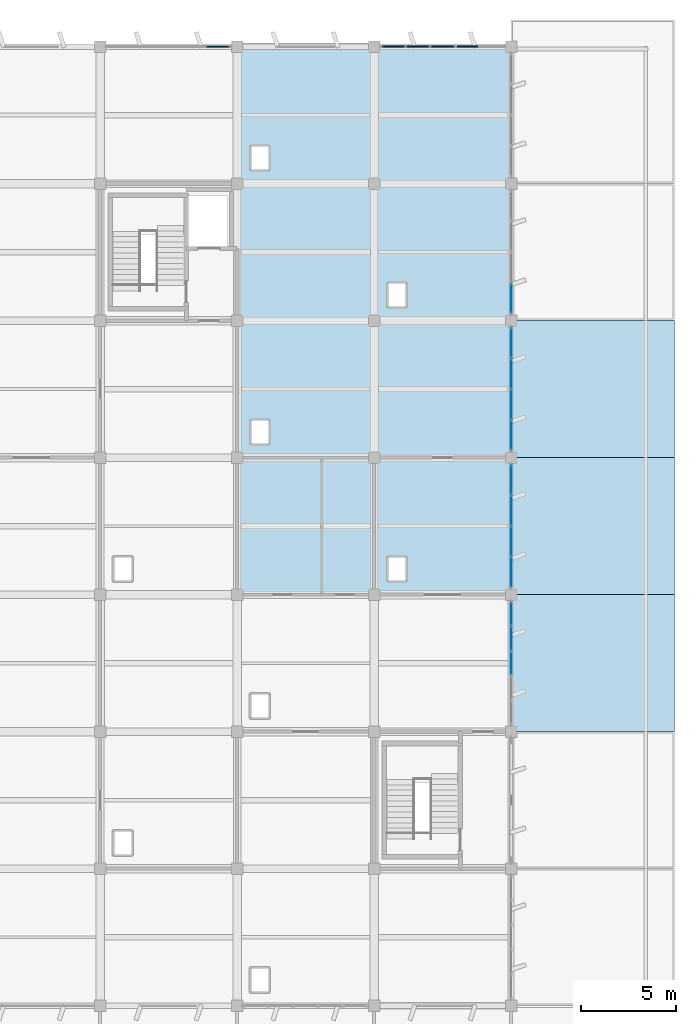
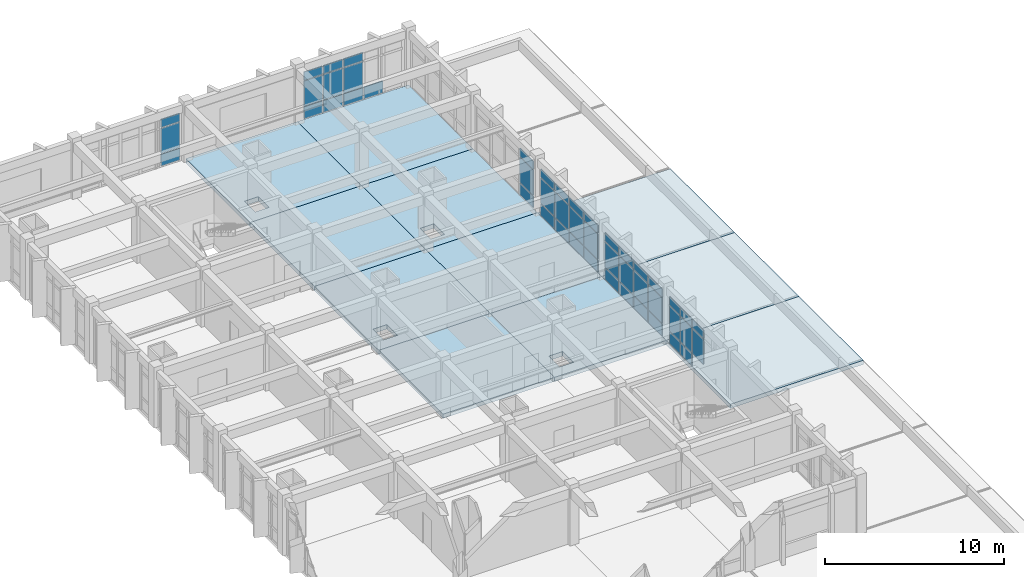
# One storey, part 43 of 62: 48 plates, 11 slabs, 6 elements without a shape of their own.
"""IFC4 building model written with IfcOpenShell, lengths in metres."""

from ifc_helpers import new_model, si_unit, direction, frame, origin, origin_2d, place, context, subcontext, project, spatial, polyline, rectangle, outline, extrude, material, layer, layer_set, type_object, element, aggregate, save


model = new_model("IFC4")

# Units and contexts
model_context = context("Model", 3, precision=1e-05, world=origin(), true_north=direction((0.0, 1.0)))
body_context = subcontext(model_context, "Body", "Model", "MODEL_VIEW")
ifc_project = project(units=[si_unit("LENGTHUNIT", "METRE"), si_unit("AREAUNIT", "SQUARE_METRE"), si_unit("VOLUMEUNIT", "CUBIC_METRE"), si_unit("PLANEANGLEUNIT", "RADIAN"), si_unit("MASSUNIT", "GRAM", prefix="KILO")], contexts=[model_context])

# Site, building, storey
site_placement = place(None, origin())
site = spatial("IfcSite", under=ifc_project, at=site_placement, CompositionType="ELEMENT")
building_placement = place(site_placement, origin())
building = spatial("IfcBuilding", under=site, at=building_placement, Name="Kavelor Marine Aquarium", CompositionType="ELEMENT")
storey_placement = place(building_placement, frame((0.0, 0.0, 13.5)))
storey = spatial("IfcBuildingStorey", under=building, at=storey_placement, Name="L03", CompositionType="ELEMENT", Elevation=13.5)

# Curtain wall, plates
ifc_material_1 = material(Name="Thermally Broken Aluminium and Low-E Glass", Category="aluminium")
ifc_layer_1 = layer(ifc_material_1, 0.219970703125)
ifc_layer_set_1 = layer_set([ifc_layer_1], Name="CW-SYS10")
curtain_wall_type_1 = type_object("IfcCurtainWallType", Name="CW-SYS10", PredefinedType="USERDEFINED", material=ifc_layer_set_1)
curtain_wall_1_placement = place(storey_placement, origin())
curtain_wall_1 = element("IfcCurtainWall", 1, at=curtain_wall_1_placement, inside=storey, type_object=curtain_wall_type_1, Name="cw:y:L03:20_10", ObjectType="Curtain Wall", PredefinedType="USERDEFINED")
ifc_material_2 = material(Name="Solar-Control Double Low-E Glazing", Category="glass")
ifc_layer_2 = layer(ifc_material_2, 0.0439453125)
ifc_layer_set_2 = layer_set([ifc_layer_2], Name="CWP-10")
plate_type_1 = type_object("IfcPlateType", Name="CWP-10", PredefinedType="CURTAIN_PANEL", material=ifc_layer_set_2)
plate_1_placement = place(storey_placement, frame((147.199951171875, 78.39990234375, 0.929931640625), z_axis=(0.0, 0.0, 1.0), x_axis=(0.0, 1.0, 0.0)))
plate_1 = element("IfcPlate", 2, at=plate_1_placement, type_object=plate_type_1, Name="CW10 panel 3.2", PredefinedType="CURTAIN_PANEL", context=body_context, shape_type="SweptSolid", body=[
    extrude(rectangle(XDim=1.22705078125, YDim=0.0439453125, at=origin_2d()), origin(), (0.0, 0.0, 1.0), 1.7099609375),
])
plate_2_placement = place(storey_placement, frame((147.199951171875, 78.39990234375, 2.699951171875), z_axis=(0.0, 0.0, 1.0), x_axis=(0.0, 1.0, 0.0)))
plate_2 = element("IfcPlate", 3, at=plate_2_placement, type_object=plate_type_1, Name="CW10 panel 3.3", PredefinedType="CURTAIN_PANEL", context=body_context, shape_type="SweptSolid", body=[
    extrude(rectangle(XDim=1.22705078125, YDim=0.0439453125, at=origin_2d()), origin(), (0.0, 0.0, 1.0), 0.56005859375),
])
plate_3_placement = place(storey_placement, frame((147.199951171875, 79.701904296875, 0.06005859375), z_axis=(0.0, 0.0, 1.0), x_axis=(0.0, 1.0, 0.0)))
plate_3 = element("IfcPlate", 4, at=plate_3_placement, type_object=plate_type_1, Name="CW10 panel 4.1", PredefinedType="CURTAIN_PANEL", context=body_context, shape_type="SweptSolid", body=[
    extrude(rectangle(XDim=1.22705078125, YDim=0.0439453125, at=origin_2d()), origin(), (0.0, 0.0, 1.0), 0.81005859375),
])
plate_4_placement = place(storey_placement, frame((147.199951171875, 79.701904296875, 0.929931640625), z_axis=(0.0, 0.0, 1.0), x_axis=(0.0, 1.0, 0.0)))
plate_4 = element("IfcPlate", 5, at=plate_4_placement, type_object=plate_type_1, Name="CW10 panel 4.2", PredefinedType="CURTAIN_PANEL", context=body_context, shape_type="SweptSolid", body=[
    extrude(rectangle(XDim=1.22705078125, YDim=0.0439453125, at=origin_2d()), origin(), (0.0, 0.0, 1.0), 1.7099609375),
])
plate_5_placement = place(storey_placement, frame((147.199951171875, 79.701904296875, 2.699951171875), z_axis=(0.0, 0.0, 1.0), x_axis=(0.0, 1.0, 0.0)))
plate_5 = element("IfcPlate", 6, at=plate_5_placement, type_object=plate_type_1, Name="CW10 panel 4.3", PredefinedType="CURTAIN_PANEL", context=body_context, shape_type="SweptSolid", body=[
    extrude(rectangle(XDim=1.22705078125, YDim=0.0439453125, at=origin_2d()), origin(), (0.0, 0.0, 1.0), 0.56005859375),
])
plate_6_placement = place(storey_placement, frame((147.199951171875, 80.9853515625, 0.06005859375), z_axis=(0.0, 0.0, 1.0), x_axis=(0.0, 1.0, 0.0)))
plate_6 = element("IfcPlate", 7, at=plate_6_placement, type_object=plate_type_1, Name="CW10 panel 5.1", PredefinedType="CURTAIN_PANEL", context=body_context, shape_type="SweptSolid", body=[
    extrude(rectangle(XDim=1.189453125, YDim=0.0439453125, at=origin_2d()), origin(), (0.0, 0.0, 1.0), 0.81005859375),
])
plate_7_placement = place(storey_placement, frame((147.199951171875, 80.9853515625, 0.929931640625), z_axis=(0.0, 0.0, 1.0), x_axis=(0.0, 1.0, 0.0)))
plate_7 = element("IfcPlate", 8, at=plate_7_placement, type_object=plate_type_1, Name="CW10 panel 5.2", PredefinedType="CURTAIN_PANEL", context=body_context, shape_type="SweptSolid", body=[
    extrude(rectangle(XDim=1.189453125, YDim=0.0439453125, at=origin_2d()), origin(), (0.0, 0.0, 1.0), 1.7099609375),
])
plate_8_placement = place(storey_placement, frame((147.199951171875, 80.9853515625, 2.699951171875), z_axis=(0.0, 0.0, 1.0), x_axis=(0.0, 1.0, 0.0)))
plate_8 = element("IfcPlate", 9, at=plate_8_placement, type_object=plate_type_1, Name="CW10 panel 5.3", PredefinedType="CURTAIN_PANEL", context=body_context, shape_type="SweptSolid", body=[
    extrude(rectangle(XDim=1.189453125, YDim=0.0439453125, at=origin_2d()), origin(), (0.0, 0.0, 1.0), 0.56005859375),
])
aggregate(curtain_wall_1, [plate_1, plate_2, plate_3, plate_4, plate_5, plate_6, plate_7, plate_8])

ifc_material_3 = material(Name="Thermally Broken Aluminium and Low-E Glass", Category="aluminium")
ifc_layer_3 = layer(ifc_material_3, 0.22802734375)
ifc_layer_set_3 = layer_set([ifc_layer_3], Name="CW-SYS11")
curtain_wall_type_2 = type_object("IfcCurtainWallType", Name="CW-SYS11", PredefinedType="USERDEFINED", material=ifc_layer_set_3)
curtain_wall_2_placement = place(storey_placement, origin())
curtain_wall_2 = element("IfcCurtainWall", 10, at=curtain_wall_2_placement, inside=storey, type_object=curtain_wall_type_2, Name="cw:y:L03:20_11", ObjectType="Curtain Wall", PredefinedType="USERDEFINED")
ifc_material_4 = material(Name="Solar-Control Double Low-E Glazing", Category="glass")
ifc_layer_4 = layer(ifc_material_4, 0.0458984375)
ifc_layer_set_4 = layer_set([ifc_layer_4], Name="CWP-11")
plate_type_2 = type_object("IfcPlateType", Name="CWP-11", PredefinedType="CURTAIN_PANEL", material=ifc_layer_set_4)
plate_9_placement = place(storey_placement, frame((147.199951171875, 83.175048828125, 0.06005859375), z_axis=(0.0, 0.0, 1.0), x_axis=(0.0, 1.0, 0.0)))
plate_9 = element("IfcPlate", 11, at=plate_9_placement, type_object=plate_type_2, Name="CW11 panel 1.1", PredefinedType="CURTAIN_PANEL", context=body_context, shape_type="SweptSolid", body=[
    extrude(rectangle(XDim=1.530029296875, YDim=0.0458984375, at=origin_2d()), origin(), (0.0, 0.0, 1.0), 0.81005859375),
])
plate_10_placement = place(storey_placement, frame((147.199951171875, 83.175048828125, 0.929931640625), z_axis=(0.0, 0.0, 1.0), x_axis=(0.0, 1.0, 0.0)))
plate_10 = element("IfcPlate", 12, at=plate_10_placement, type_object=plate_type_2, Name="CW11 panel 1.2", PredefinedType="CURTAIN_PANEL", context=body_context, shape_type="SweptSolid", body=[
    extrude(rectangle(XDim=1.530029296875, YDim=0.0458984375, at=origin_2d()), origin(), (0.0, 0.0, 1.0), 1.7099609375),
])
plate_11_placement = place(storey_placement, frame((147.199951171875, 83.175048828125, 2.699951171875), z_axis=(0.0, 0.0, 1.0), x_axis=(0.0, 1.0, 0.0)))
plate_11 = element("IfcPlate", 13, at=plate_11_placement, type_object=plate_type_2, Name="CW11 panel 1.3", PredefinedType="CURTAIN_PANEL", context=body_context, shape_type="SweptSolid", body=[
    extrude(rectangle(XDim=1.530029296875, YDim=0.0458984375, at=origin_2d()), origin(), (0.0, 0.0, 1.0), 0.56005859375),
])
plate_12_placement = place(storey_placement, frame((147.199951171875, 84.7861328125, 0.06005859375), z_axis=(0.0, 0.0, 1.0), x_axis=(0.0, 1.0, 0.0)))
plate_12 = element("IfcPlate", 14, at=plate_12_placement, type_object=plate_type_2, Name="CW11 panel 2.1", PredefinedType="CURTAIN_PANEL", context=body_context, shape_type="SweptSolid", body=[
    extrude(rectangle(XDim=1.5625, YDim=0.0458984375, at=origin_2d()), origin(), (0.0, 0.0, 1.0), 0.81005859375),
])
plate_13_placement = place(storey_placement, frame((147.199951171875, 84.7861328125, 0.929931640625), z_axis=(0.0, 0.0, 1.0), x_axis=(0.0, 1.0, 0.0)))
plate_13 = element("IfcPlate", 15, at=plate_13_placement, type_object=plate_type_2, Name="CW11 panel 2.2", PredefinedType="CURTAIN_PANEL", context=body_context, shape_type="SweptSolid", body=[
    extrude(rectangle(XDim=1.5625, YDim=0.0458984375, at=origin_2d()), origin(), (0.0, 0.0, 1.0), 1.7099609375),
])
plate_14_placement = place(storey_placement, frame((147.199951171875, 84.7861328125, 2.699951171875), z_axis=(0.0, 0.0, 1.0), x_axis=(0.0, 1.0, 0.0)))
plate_14 = element("IfcPlate", 16, at=plate_14_placement, type_object=plate_type_2, Name="CW11 panel 2.3", PredefinedType="CURTAIN_PANEL", context=body_context, shape_type="SweptSolid", body=[
    extrude(rectangle(XDim=1.5625, YDim=0.0458984375, at=origin_2d()), origin(), (0.0, 0.0, 1.0), 0.56005859375),
])
plate_15_placement = place(storey_placement, frame((147.199951171875, 86.413818359375, 0.06005859375), z_axis=(0.0, 0.0, 1.0), x_axis=(0.0, 1.0, 0.0)))
plate_15 = element("IfcPlate", 17, at=plate_15_placement, type_object=plate_type_2, Name="CW11 panel 3.1", PredefinedType="CURTAIN_PANEL", context=body_context, shape_type="SweptSolid", body=[
    extrude(rectangle(XDim=1.5625, YDim=0.0458984375, at=origin_2d()), origin(), (0.0, 0.0, 1.0), 0.81005859375),
])
plate_16_placement = place(storey_placement, frame((147.199951171875, 86.413818359375, 0.929931640625), z_axis=(0.0, 0.0, 1.0), x_axis=(0.0, 1.0, 0.0)))
plate_16 = element("IfcPlate", 18, at=plate_16_placement, type_object=plate_type_2, Name="CW11 panel 3.2", PredefinedType="CURTAIN_PANEL", context=body_context, shape_type="SweptSolid", body=[
    extrude(rectangle(XDim=1.5625, YDim=0.0458984375, at=origin_2d()), origin(), (0.0, 0.0, 1.0), 1.7099609375),
])
plate_17_placement = place(storey_placement, frame((147.199951171875, 86.413818359375, 2.699951171875), z_axis=(0.0, 0.0, 1.0), x_axis=(0.0, 1.0, 0.0)))
plate_17 = element("IfcPlate", 19, at=plate_17_placement, type_object=plate_type_2, Name="CW11 panel 3.3", PredefinedType="CURTAIN_PANEL", context=body_context, shape_type="SweptSolid", body=[
    extrude(rectangle(XDim=1.5625, YDim=0.0458984375, at=origin_2d()), origin(), (0.0, 0.0, 1.0), 0.56005859375),
])
plate_18_placement = place(storey_placement, frame((147.199951171875, 88.02490234375, 0.06005859375), z_axis=(0.0, 0.0, 1.0), x_axis=(0.0, 1.0, 0.0)))
plate_18 = element("IfcPlate", 20, at=plate_18_placement, type_object=plate_type_2, Name="CW11 panel 4.1", PredefinedType="CURTAIN_PANEL", context=body_context, shape_type="SweptSolid", body=[
    extrude(rectangle(XDim=1.530029296875, YDim=0.0458984375, at=origin_2d()), origin(), (0.0, 0.0, 1.0), 0.81005859375),
])
plate_19_placement = place(storey_placement, frame((147.199951171875, 88.02490234375, 0.929931640625), z_axis=(0.0, 0.0, 1.0), x_axis=(0.0, 1.0, 0.0)))
plate_19 = element("IfcPlate", 21, at=plate_19_placement, type_object=plate_type_2, Name="CW11 panel 4.2", PredefinedType="CURTAIN_PANEL", context=body_context, shape_type="SweptSolid", body=[
    extrude(rectangle(XDim=1.530029296875, YDim=0.0458984375, at=origin_2d()), origin(), (0.0, 0.0, 1.0), 1.7099609375),
])
plate_20_placement = place(storey_placement, frame((147.199951171875, 88.02490234375, 2.699951171875), z_axis=(0.0, 0.0, 1.0), x_axis=(0.0, 1.0, 0.0)))
plate_20 = element("IfcPlate", 22, at=plate_20_placement, type_object=plate_type_2, Name="CW11 panel 4.3", PredefinedType="CURTAIN_PANEL", context=body_context, shape_type="SweptSolid", body=[
    extrude(rectangle(XDim=1.530029296875, YDim=0.0458984375, at=origin_2d()), origin(), (0.0, 0.0, 1.0), 0.56005859375),
])
aggregate(curtain_wall_2, [plate_9, plate_10, plate_11, plate_12, plate_13, plate_14, plate_15, plate_16, plate_17, plate_18, plate_19, plate_20])

ifc_material_5 = material(Name="Thermally Broken Aluminium and Low-E Glass", Category="aluminium")
ifc_layer_5 = layer(ifc_material_5, 0.236083984375)
ifc_layer_set_5 = layer_set([ifc_layer_5], Name="CW-SYS12")
curtain_wall_type_3 = type_object("IfcCurtainWallType", Name="CW-SYS12", PredefinedType="USERDEFINED", material=ifc_layer_set_5)
curtain_wall_3_placement = place(storey_placement, origin())
curtain_wall_3 = element("IfcCurtainWall", 23, at=curtain_wall_3_placement, inside=storey, type_object=curtain_wall_type_3, Name="cw:y:L03:20_12", ObjectType="Curtain Wall", PredefinedType="USERDEFINED")
ifc_material_6 = material(Name="Solar-Control Double Low-E Glazing", Category="glass")
ifc_layer_6 = layer(ifc_material_6, 0.048095703125)
ifc_layer_set_6 = layer_set([ifc_layer_6], Name="CWP-12")
plate_type_3 = type_object("IfcPlateType", Name="CWP-12", PredefinedType="CURTAIN_PANEL", material=ifc_layer_set_6)
plate_21_placement = place(storey_placement, frame((147.199951171875, 90.373779296875, 0.074951171875), z_axis=(0.0, 0.0, 1.0), x_axis=(0.0, 1.0, 0.0)))
plate_21 = element("IfcPlate", 24, at=plate_21_placement, type_object=plate_type_3, Name="CW12 panel 1.1", PredefinedType="CURTAIN_PANEL", context=body_context, shape_type="SweptSolid", body=[
    extrude(rectangle(XDim=1.53759765625, YDim=0.048095703125, at=origin_2d()), origin(), (0.0, 0.0, 1.0), 0.78759765625),
])
plate_22_placement = place(storey_placement, frame((147.199951171875, 90.373779296875, 0.9375), z_axis=(0.0, 0.0, 1.0), x_axis=(0.0, 1.0, 0.0)))
plate_22 = element("IfcPlate", 25, at=plate_22_placement, type_object=plate_type_3, Name="CW12 panel 1.2", PredefinedType="CURTAIN_PANEL", context=body_context, shape_type="SweptSolid", body=[
    extrude(rectangle(XDim=1.53759765625, YDim=0.048095703125, at=origin_2d()), origin(), (0.0, 0.0, 1.0), 1.695068359375),
])
plate_23_placement = place(storey_placement, frame((147.199951171875, 90.373779296875, 2.70751953125), z_axis=(0.0, 0.0, 1.0), x_axis=(0.0, 1.0, 0.0)))
plate_23 = element("IfcPlate", 26, at=plate_23_placement, type_object=plate_type_3, Name="CW12 panel 1.3", PredefinedType="CURTAIN_PANEL", context=body_context, shape_type="SweptSolid", body=[
    extrude(rectangle(XDim=1.53759765625, YDim=0.048095703125, at=origin_2d()), origin(), (0.0, 0.0, 1.0), 0.53759765625),
])
plate_24_placement = place(storey_placement, frame((147.199951171875, 91.986328125, 0.074951171875), z_axis=(0.0, 0.0, 1.0), x_axis=(0.0, 1.0, 0.0)))
plate_24 = element("IfcPlate", 27, at=plate_24_placement, type_object=plate_type_3, Name="CW12 panel 2.1", PredefinedType="CURTAIN_PANEL", context=body_context, shape_type="SweptSolid", body=[
    extrude(rectangle(XDim=1.5673828125, YDim=0.048095703125, at=origin_2d()), origin(), (0.0, 0.0, 1.0), 0.78759765625),
])
plate_25_placement = place(storey_placement, frame((147.199951171875, 91.986328125, 0.9375), z_axis=(0.0, 0.0, 1.0), x_axis=(0.0, 1.0, 0.0)))
plate_25 = element("IfcPlate", 28, at=plate_25_placement, type_object=plate_type_3, Name="CW12 panel 2.2", PredefinedType="CURTAIN_PANEL", context=body_context, shape_type="SweptSolid", body=[
    extrude(rectangle(XDim=1.5673828125, YDim=0.048095703125, at=origin_2d()), origin(), (0.0, 0.0, 1.0), 1.695068359375),
])
plate_26_placement = place(storey_placement, frame((147.199951171875, 91.986328125, 2.70751953125), z_axis=(0.0, 0.0, 1.0), x_axis=(0.0, 1.0, 0.0)))
plate_26 = element("IfcPlate", 29, at=plate_26_placement, type_object=plate_type_3, Name="CW12 panel 2.3", PredefinedType="CURTAIN_PANEL", context=body_context, shape_type="SweptSolid", body=[
    extrude(rectangle(XDim=1.5673828125, YDim=0.048095703125, at=origin_2d()), origin(), (0.0, 0.0, 1.0), 0.53759765625),
])
plate_27_placement = place(storey_placement, frame((147.199951171875, 93.61376953125, 0.074951171875), z_axis=(0.0, 0.0, 1.0), x_axis=(0.0, 1.0, 0.0)))
plate_27 = element("IfcPlate", 30, at=plate_27_placement, type_object=plate_type_3, Name="CW12 panel 3.1", PredefinedType="CURTAIN_PANEL", context=body_context, shape_type="SweptSolid", body=[
    extrude(rectangle(XDim=1.5673828125, YDim=0.048095703125, at=origin_2d()), origin(), (0.0, 0.0, 1.0), 0.78759765625),
])
plate_28_placement = place(storey_placement, frame((147.199951171875, 93.61376953125, 0.9375), z_axis=(0.0, 0.0, 1.0), x_axis=(0.0, 1.0, 0.0)))
plate_28 = element("IfcPlate", 31, at=plate_28_placement, type_object=plate_type_3, Name="CW12 panel 3.2", PredefinedType="CURTAIN_PANEL", context=body_context, shape_type="SweptSolid", body=[
    extrude(rectangle(XDim=1.5673828125, YDim=0.048095703125, at=origin_2d()), origin(), (0.0, 0.0, 1.0), 1.695068359375),
])
plate_29_placement = place(storey_placement, frame((147.199951171875, 93.61376953125, 2.70751953125), z_axis=(0.0, 0.0, 1.0), x_axis=(0.0, 1.0, 0.0)))
plate_29 = element("IfcPlate", 32, at=plate_29_placement, type_object=plate_type_3, Name="CW12 panel 3.3", PredefinedType="CURTAIN_PANEL", context=body_context, shape_type="SweptSolid", body=[
    extrude(rectangle(XDim=1.5673828125, YDim=0.048095703125, at=origin_2d()), origin(), (0.0, 0.0, 1.0), 0.53759765625),
])
plate_30_placement = place(storey_placement, frame((147.199951171875, 95.226318359375, 0.074951171875), z_axis=(0.0, 0.0, 1.0), x_axis=(0.0, 1.0, 0.0)))
plate_30 = element("IfcPlate", 33, at=plate_30_placement, type_object=plate_type_3, Name="CW12 panel 4.1", PredefinedType="CURTAIN_PANEL", context=body_context, shape_type="SweptSolid", body=[
    extrude(rectangle(XDim=1.53759765625, YDim=0.048095703125, at=origin_2d()), origin(), (0.0, 0.0, 1.0), 0.78759765625),
])
plate_31_placement = place(storey_placement, frame((147.199951171875, 95.226318359375, 0.9375), z_axis=(0.0, 0.0, 1.0), x_axis=(0.0, 1.0, 0.0)))
plate_31 = element("IfcPlate", 34, at=plate_31_placement, type_object=plate_type_3, Name="CW12 panel 4.2", PredefinedType="CURTAIN_PANEL", context=body_context, shape_type="SweptSolid", body=[
    extrude(rectangle(XDim=1.53759765625, YDim=0.048095703125, at=origin_2d()), origin(), (0.0, 0.0, 1.0), 1.695068359375),
])
plate_32_placement = place(storey_placement, frame((147.199951171875, 95.226318359375, 2.70751953125), z_axis=(0.0, 0.0, 1.0), x_axis=(0.0, 1.0, 0.0)))
plate_32 = element("IfcPlate", 35, at=plate_32_placement, type_object=plate_type_3, Name="CW12 panel 4.3", PredefinedType="CURTAIN_PANEL", context=body_context, shape_type="SweptSolid", body=[
    extrude(rectangle(XDim=1.53759765625, YDim=0.048095703125, at=origin_2d()), origin(), (0.0, 0.0, 1.0), 0.53759765625),
])
aggregate(curtain_wall_3, [plate_21, plate_22, plate_23, plate_24, plate_25, plate_26, plate_27, plate_28, plate_29, plate_30, plate_31, plate_32])

ifc_material_7 = material(Name="Thermally Broken Aluminium and Low-E Glass", Category="aluminium")
ifc_layer_7 = layer(ifc_material_7, 0.243896484375)
ifc_layer_set_7 = layer_set([ifc_layer_7], Name="CW-SYS13")
curtain_wall_type_4 = type_object("IfcCurtainWallType", Name="CW-SYS13", PredefinedType="USERDEFINED", material=ifc_layer_set_7)
curtain_wall_4_placement = place(storey_placement, origin())
curtain_wall_4 = element("IfcCurtainWall", 36, at=curtain_wall_4_placement, inside=storey, type_object=curtain_wall_type_4, Name="cw:y:L03:20_13", ObjectType="Curtain Wall", PredefinedType="USERDEFINED")
ifc_material_8 = material(Name="Solar-Control Double Low-E Glazing", Category="glass")
ifc_layer_8 = layer(ifc_material_8, 0.050048828125)
ifc_layer_set_8 = layer_set([ifc_layer_8], Name="CWP-13")
plate_type_4 = type_object("IfcPlateType", Name="CWP-13", PredefinedType="CURTAIN_PANEL", material=ifc_layer_set_8)
plate_33_placement = place(storey_placement, frame((147.199951171875, 97.577392578125, 0.074951171875), z_axis=(0.0, 0.0, 1.0), x_axis=(0.0, 1.0, 0.0)))
plate_33 = element("IfcPlate", 37, at=plate_33_placement, type_object=plate_type_4, Name="CW13 panel 1.1", PredefinedType="CURTAIN_PANEL", context=body_context, shape_type="SweptSolid", body=[
    extrude(rectangle(XDim=1.514892578125, YDim=0.050048828125, at=origin_2d()), origin(), (0.0, 0.0, 1.0), 0.78759765625),
])
plate_34_placement = place(storey_placement, frame((147.199951171875, 97.577392578125, 0.9375), z_axis=(0.0, 0.0, 1.0), x_axis=(0.0, 1.0, 0.0)))
plate_34 = element("IfcPlate", 38, at=plate_34_placement, type_object=plate_type_4, Name="CW13 panel 1.2", PredefinedType="CURTAIN_PANEL", context=body_context, shape_type="SweptSolid", body=[
    extrude(rectangle(XDim=1.514892578125, YDim=0.050048828125, at=origin_2d()), origin(), (0.0, 0.0, 1.0), 1.695068359375),
])
plate_35_placement = place(storey_placement, frame((147.199951171875, 97.577392578125, 2.70751953125), z_axis=(0.0, 0.0, 1.0), x_axis=(0.0, 1.0, 0.0)))
plate_35 = element("IfcPlate", 39, at=plate_35_placement, type_object=plate_type_4, Name="CW13 panel 1.3", PredefinedType="CURTAIN_PANEL", context=body_context, shape_type="SweptSolid", body=[
    extrude(rectangle(XDim=1.514892578125, YDim=0.050048828125, at=origin_2d()), origin(), (0.0, 0.0, 1.0), 0.53759765625),
])
aggregate(curtain_wall_4, [plate_33, plate_34, plate_35])

ifc_material_9 = material(Name="Thermally Broken Aluminium and Low-E Glass", Category="aluminium")
ifc_layer_9 = layer(ifc_material_9, 0.2041015625)
ifc_layer_set_9 = layer_set([ifc_layer_9], Name="CW-SYS8")
curtain_wall_type_5 = type_object("IfcCurtainWallType", Name="CW-SYS8", PredefinedType="USERDEFINED", material=ifc_layer_set_9)
curtain_wall_5_placement = place(storey_placement, origin())
curtain_wall_5 = element("IfcCurtainWall", 40, at=curtain_wall_5_placement, inside=storey, type_object=curtain_wall_type_5, Name="cw:x:L03:17_15", ObjectType="Curtain Wall", PredefinedType="USERDEFINED")
ifc_material_10 = material(Name="Solar-Control Double Low-E Glazing", Category="glass")
ifc_layer_10 = layer(ifc_material_10, 0.06396484375)
ifc_layer_set_10 = layer_set([ifc_layer_10], Name="CWP-20")
plate_type_5 = type_object("IfcPlateType", Name="CWP-20", PredefinedType="CURTAIN_PANEL", material=ifc_layer_set_10)
plate_36_placement = place(storey_placement, frame((131.787841796875, 110.800048828125, 0.06494140625), z_axis=(0.0, 0.0, 1.0), x_axis=(1.0, 0.0, 0.0)))
plate_36 = element("IfcPlate", 41, at=plate_36_placement, type_object=plate_type_5, Name="CW08 panel 5.1", PredefinedType="CURTAIN_PANEL", context=body_context, shape_type="SweptSolid", body=[
    extrude(rectangle(XDim=1.20458984375, YDim=0.06396484375, at=origin_2d()), origin(), (0.0, 0.0, 1.0), 0.802490234375),
])
plate_37_placement = place(storey_placement, frame((131.787841796875, 110.800048828125, 0.932373046875), z_axis=(0.0, 0.0, 1.0), x_axis=(1.0, 0.0, 0.0)))
plate_37 = element("IfcPlate", 42, at=plate_37_placement, type_object=plate_type_5, Name="CW08 panel 5.2", PredefinedType="CURTAIN_PANEL", context=body_context, shape_type="SweptSolid", body=[
    extrude(rectangle(XDim=1.20458984375, YDim=0.06396484375, at=origin_2d()), origin(), (0.0, 0.0, 1.0), 1.705078125),
])
plate_38_placement = place(storey_placement, frame((131.787841796875, 110.800048828125, 2.70263671875), z_axis=(0.0, 0.0, 1.0), x_axis=(1.0, 0.0, 0.0)))
plate_38 = element("IfcPlate", 43, at=plate_38_placement, type_object=plate_type_5, Name="CW08 panel 5.3", PredefinedType="CURTAIN_PANEL", context=body_context, shape_type="SweptSolid", body=[
    extrude(rectangle(XDim=1.20458984375, YDim=0.06396484375, at=origin_2d()), origin(), (0.0, 0.0, 1.0), 0.552490234375),
])
aggregate(curtain_wall_5, [plate_36, plate_37, plate_38])

curtain_wall_6_placement = place(storey_placement, origin())
curtain_wall_6 = element("IfcCurtainWall", 44, at=curtain_wall_6_placement, inside=storey, type_object=curtain_wall_type_1, Name="cw:x:L03:19_15", ObjectType="Curtain Wall", PredefinedType="USERDEFINED")
ifc_material_11 = material(Name="Solar-Control Double Low-E Glazing", Category="glass")
ifc_layer_11 = layer(ifc_material_11, 0.068115234375)
ifc_layer_set_11 = layer_set([ifc_layer_11], Name="CWP-22")
plate_type_6 = type_object("IfcPlateType", Name="CWP-22", PredefinedType="CURTAIN_PANEL", material=ifc_layer_set_11)
plate_39_placement = place(storey_placement, frame((141.0146484375, 110.800048828125, 0.06005859375), z_axis=(0.0, 0.0, 1.0), x_axis=(1.0, 0.0, 0.0)))
plate_39 = element("IfcPlate", 45, at=plate_39_placement, type_object=plate_type_6, Name="CW10 panel 1.1", PredefinedType="CURTAIN_PANEL", context=body_context, shape_type="SweptSolid", body=[
    extrude(rectangle(XDim=1.189453125, YDim=0.068115234375, at=origin_2d()), origin(), (0.0, 0.0, 1.0), 0.81005859375),
])
plate_40_placement = place(storey_placement, frame((141.0146484375, 110.800048828125, 0.929931640625), z_axis=(0.0, 0.0, 1.0), x_axis=(1.0, 0.0, 0.0)))
plate_40 = element("IfcPlate", 46, at=plate_40_placement, type_object=plate_type_6, Name="CW10 panel 1.2", PredefinedType="CURTAIN_PANEL", context=body_context, shape_type="SweptSolid", body=[
    extrude(rectangle(XDim=1.189453125, YDim=0.068115234375, at=origin_2d()), origin(), (0.0, 0.0, 1.0), 1.7099609375),
])
plate_41_placement = place(storey_placement, frame((141.0146484375, 110.800048828125, 2.699951171875), z_axis=(0.0, 0.0, 1.0), x_axis=(1.0, 0.0, 0.0)))
plate_41 = element("IfcPlate", 47, at=plate_41_placement, type_object=plate_type_6, Name="CW10 panel 1.3", PredefinedType="CURTAIN_PANEL", context=body_context, shape_type="SweptSolid", body=[
    extrude(rectangle(XDim=1.189453125, YDim=0.068115234375, at=origin_2d()), origin(), (0.0, 0.0, 1.0), 0.56005859375),
])
plate_42_placement = place(storey_placement, frame((142.298095703125, 110.800048828125, 0.06005859375), z_axis=(0.0, 0.0, 1.0), x_axis=(1.0, 0.0, 0.0)))
plate_42 = element("IfcPlate", 48, at=plate_42_placement, type_object=plate_type_6, Name="CW10 panel 2.1", PredefinedType="CURTAIN_PANEL", context=body_context, shape_type="SweptSolid", body=[
    extrude(rectangle(XDim=1.22705078125, YDim=0.068115234375, at=origin_2d()), origin(), (0.0, 0.0, 1.0), 0.81005859375),
])
plate_43_placement = place(storey_placement, frame((142.298095703125, 110.800048828125, 0.929931640625), z_axis=(0.0, 0.0, 1.0), x_axis=(1.0, 0.0, 0.0)))
plate_43 = element("IfcPlate", 49, at=plate_43_placement, type_object=plate_type_6, Name="CW10 panel 2.2", PredefinedType="CURTAIN_PANEL", context=body_context, shape_type="SweptSolid", body=[
    extrude(rectangle(XDim=1.22705078125, YDim=0.068115234375, at=origin_2d()), origin(), (0.0, 0.0, 1.0), 1.7099609375),
])
plate_44_placement = place(storey_placement, frame((142.298095703125, 110.800048828125, 2.699951171875), z_axis=(0.0, 0.0, 1.0), x_axis=(1.0, 0.0, 0.0)))
plate_44 = element("IfcPlate", 50, at=plate_44_placement, type_object=plate_type_6, Name="CW10 panel 2.3", PredefinedType="CURTAIN_PANEL", context=body_context, shape_type="SweptSolid", body=[
    extrude(rectangle(XDim=1.22705078125, YDim=0.068115234375, at=origin_2d()), origin(), (0.0, 0.0, 1.0), 0.56005859375),
])
plate_45_placement = place(storey_placement, frame((143.60009765625, 110.800048828125, 0.06005859375), z_axis=(0.0, 0.0, 1.0), x_axis=(1.0, 0.0, 0.0)))
plate_45 = element("IfcPlate", 51, at=plate_45_placement, type_object=plate_type_6, Name="CW10 panel 3.1", PredefinedType="CURTAIN_PANEL", context=body_context, shape_type="SweptSolid", body=[
    extrude(rectangle(XDim=1.22705078125, YDim=0.068115234375, at=origin_2d()), origin(), (0.0, 0.0, 1.0), 0.81005859375),
])
plate_46_placement = place(storey_placement, frame((143.60009765625, 110.800048828125, 0.929931640625), z_axis=(0.0, 0.0, 1.0), x_axis=(1.0, 0.0, 0.0)))
plate_46 = element("IfcPlate", 52, at=plate_46_placement, type_object=plate_type_6, Name="CW10 panel 3.2", PredefinedType="CURTAIN_PANEL", context=body_context, shape_type="SweptSolid", body=[
    extrude(rectangle(XDim=1.22705078125, YDim=0.068115234375, at=origin_2d()), origin(), (0.0, 0.0, 1.0), 1.7099609375),
])
plate_47_placement = place(storey_placement, frame((143.60009765625, 110.800048828125, 2.699951171875), z_axis=(0.0, 0.0, 1.0), x_axis=(1.0, 0.0, 0.0)))
plate_47 = element("IfcPlate", 53, at=plate_47_placement, type_object=plate_type_6, Name="CW10 panel 3.3", PredefinedType="CURTAIN_PANEL", context=body_context, shape_type="SweptSolid", body=[
    extrude(rectangle(XDim=1.22705078125, YDim=0.068115234375, at=origin_2d()), origin(), (0.0, 0.0, 1.0), 0.56005859375),
])
plate_48_placement = place(storey_placement, frame((144.902099609375, 110.800048828125, 0.06005859375), z_axis=(0.0, 0.0, 1.0), x_axis=(1.0, 0.0, 0.0)))
plate_48 = element("IfcPlate", 54, at=plate_48_placement, type_object=plate_type_6, Name="CW10 panel 4.1", PredefinedType="CURTAIN_PANEL", context=body_context, shape_type="SweptSolid", body=[
    extrude(rectangle(XDim=1.22705078125, YDim=0.068115234375, at=origin_2d()), origin(), (0.0, 0.0, 1.0), 0.81005859375),
])
aggregate(curtain_wall_6, [plate_39, plate_40, plate_41, plate_42, plate_43, plate_44, plate_45, plate_46, plate_47, plate_48])

# Slabs
ifc_material_12 = material(Name="Concrete C40/50", Category="concrete")
ifc_layer_12 = layer(ifc_material_12, 0.300048828125)
ifc_layer_set_12 = layer_set([ifc_layer_12], Name="SL-FL1")
slab_type_1 = type_object("IfcSlabType", Name="SL-FL1", PredefinedType="FLOOR", material=ifc_layer_set_12)
slab_1_placement = place(storey_placement, frame((0.0, 0.0, -0.300048828125)))
element("IfcSlab", 55, at=slab_1_placement, inside=storey, type_object=slab_type_1, Name="slab:L03:18_12", PredefinedType="FLOOR", context=body_context, shape_type="SweptSolid", body=[
    extrude(outline(polyline([(132.800048828125, 89.199951171875), (140.0, 89.199951171875), (140.0, 96.39990234375), (132.800048828125, 96.39990234375), (132.800048828125, 89.199951171875)]), holes=[polyline([(133.550048828125, 89.949951171875), (134.449951171875, 89.949951171875), (134.449951171875, 91.14990234375), (133.550048828125, 91.14990234375), (133.550048828125, 89.949951171875)])]), origin(), (0.0, 0.0, 1.0), 0.300048828125),
])
slab_2_placement = place(storey_placement, frame((0.0, 0.0, -0.300048828125)))
element("IfcSlab", 56, at=slab_2_placement, inside=storey, type_object=slab_type_1, Name="slab:L03:18_14", PredefinedType="FLOOR", context=body_context, shape_type="SweptSolid", body=[
    extrude(outline(polyline([(132.800048828125, 103.60009765625), (140.0, 103.60009765625), (140.0, 110.800048828125), (132.800048828125, 110.800048828125), (132.800048828125, 103.60009765625)]), holes=[polyline([(133.550048828125, 104.35009765625), (134.449951171875, 104.35009765625), (134.449951171875, 105.550048828125), (133.550048828125, 105.550048828125), (133.550048828125, 104.35009765625)])]), origin(), (0.0, 0.0, 1.0), 0.300048828125),
])
slab_3_placement = place(storey_placement, frame((0.0, 0.0, -0.300048828125)))
element("IfcSlab", 57, at=slab_3_placement, inside=storey, type_object=slab_type_1, Name="slab:L03:19_11", PredefinedType="FLOOR", context=body_context, shape_type="SweptSolid", body=[
    extrude(outline(polyline([(140.0, 82.0), (147.199951171875, 82.0), (147.199951171875, 89.199951171875), (140.0, 89.199951171875), (140.0, 82.0)]), holes=[polyline([(140.75, 82.75), (141.64990234375, 82.75), (141.64990234375, 83.949951171875), (140.75, 83.949951171875), (140.75, 82.75)])]), origin(), (0.0, 0.0, 1.0), 0.300048828125),
])
slab_4_placement = place(storey_placement, frame((0.0, 0.0, -0.300048828125)))
element("IfcSlab", 58, at=slab_4_placement, inside=storey, type_object=slab_type_1, Name="slab:L03:19_13", PredefinedType="FLOOR", context=body_context, shape_type="SweptSolid", body=[
    extrude(outline(polyline([(140.0, 96.39990234375), (147.199951171875, 96.39990234375), (147.199951171875, 103.60009765625), (140.0, 103.60009765625), (140.0, 96.39990234375)]), holes=[polyline([(140.75, 97.14990234375), (141.64990234375, 97.14990234375), (141.64990234375, 98.35009765625), (140.75, 98.35009765625), (140.75, 97.14990234375)])]), origin(), (0.0, 0.0, 1.0), 0.300048828125),
])
ifc_material_13 = material(Name="Concrete C40/50", Category="concrete")
ifc_layer_13 = layer(ifc_material_13, 0.280029296875)
ifc_layer_set_13 = layer_set([ifc_layer_13], Name="SL-FL2")
slab_type_2 = type_object("IfcSlabType", Name="SL-FL2", PredefinedType="FLOOR", material=ifc_layer_set_13)
slab_5_placement = place(storey_placement, frame((0.0, 0.0, -0.280029296875)))
element("IfcSlab", 59, at=slab_5_placement, inside=storey, type_object=slab_type_2, Name="slab:L03:18_11", PredefinedType="FLOOR", context=body_context, shape_type="SweptSolid", body=[
    extrude(outline(polyline([(132.800048828125, 82.0), (140.0, 82.0), (140.0, 89.199951171875), (132.800048828125, 89.199951171875), (132.800048828125, 82.0)])), origin(), (0.0, 0.0, 1.0), 0.280029296875),
])
slab_6_placement = place(storey_placement, frame((0.0, 0.0, -0.280029296875)))
element("IfcSlab", 60, at=slab_6_placement, inside=storey, type_object=slab_type_2, Name="slab:L03:18_13", PredefinedType="FLOOR", context=body_context, shape_type="SweptSolid", body=[
    extrude(outline(polyline([(132.800048828125, 96.39990234375), (140.0, 96.39990234375), (140.0, 103.60009765625), (132.800048828125, 103.60009765625), (132.800048828125, 96.39990234375)])), origin(), (0.0, 0.0, 1.0), 0.280029296875),
])
slab_7_placement = place(storey_placement, frame((0.0, 0.0, -0.280029296875)))
element("IfcSlab", 61, at=slab_7_placement, inside=storey, type_object=slab_type_2, Name="slab:L03:19_12", PredefinedType="FLOOR", context=body_context, shape_type="SweptSolid", body=[
    extrude(outline(polyline([(140.0, 89.199951171875), (147.199951171875, 89.199951171875), (147.199951171875, 96.39990234375), (140.0, 96.39990234375), (140.0, 89.199951171875)])), origin(), (0.0, 0.0, 1.0), 0.280029296875),
])
slab_8_placement = place(storey_placement, frame((0.0, 0.0, -0.280029296875)))
element("IfcSlab", 62, at=slab_8_placement, inside=storey, type_object=slab_type_2, Name="slab:L03:19_14", PredefinedType="FLOOR", context=body_context, shape_type="SweptSolid", body=[
    extrude(outline(polyline([(140.0, 103.60009765625), (147.199951171875, 103.60009765625), (147.199951171875, 110.800048828125), (140.0, 110.800048828125), (140.0, 103.60009765625)])), origin(), (0.0, 0.0, 1.0), 0.280029296875),
])
ifc_material_14 = material(Name="Concrete C40/50", Category="concrete")
ifc_layer_14 = layer(ifc_material_14, 0.280029296875)
ifc_layer_set_14 = layer_set([ifc_layer_14], Name="SL-RF1")
slab_type_3 = type_object("IfcSlabType", Name="SL-RF1", PredefinedType="ROOF", material=ifc_layer_set_14)
slab_9_placement = place(storey_placement, frame((0.0, 0.0, -0.280029296875)))
element("IfcSlab", 63, at=slab_9_placement, inside=storey, type_object=slab_type_3, Name="roof:L03:20_10", PredefinedType="ROOF", context=body_context, shape_type="SweptSolid", body=[
    extrude(outline(polyline([(147.199951171875, 74.800048828125), (155.800048828125, 74.800048828125), (155.800048828125, 82.0), (147.199951171875, 82.0), (147.199951171875, 74.800048828125)])), origin(), (0.0, 0.0, 1.0), 0.280029296875),
])
slab_10_placement = place(storey_placement, frame((0.0, 0.0, -0.280029296875)))
element("IfcSlab", 64, at=slab_10_placement, inside=storey, type_object=slab_type_3, Name="roof:L03:20_11", PredefinedType="ROOF", context=body_context, shape_type="SweptSolid", body=[
    extrude(outline(polyline([(147.199951171875, 82.0), (155.800048828125, 82.0), (155.800048828125, 89.199951171875), (147.199951171875, 89.199951171875), (147.199951171875, 82.0)])), origin(), (0.0, 0.0, 1.0), 0.280029296875),
])
slab_11_placement = place(storey_placement, frame((0.0, 0.0, -0.280029296875)))
element("IfcSlab", 65, at=slab_11_placement, inside=storey, type_object=slab_type_3, Name="roof:L03:20_12", PredefinedType="ROOF", context=body_context, shape_type="SweptSolid", body=[
    extrude(outline(polyline([(147.199951171875, 89.199951171875), (155.800048828125, 89.199951171875), (155.800048828125, 96.39990234375), (147.199951171875, 96.39990234375), (147.199951171875, 89.199951171875)])), origin(), (0.0, 0.0, 1.0), 0.280029296875),
])

save(model, "model.ifc")
